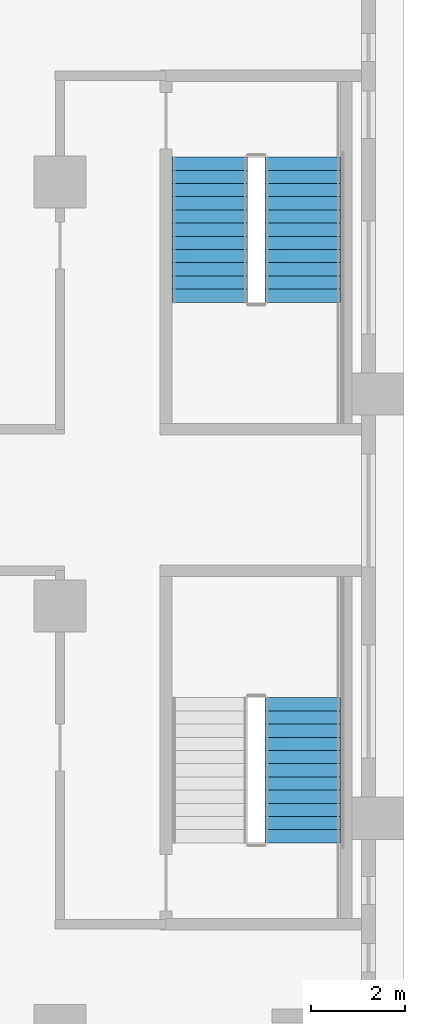
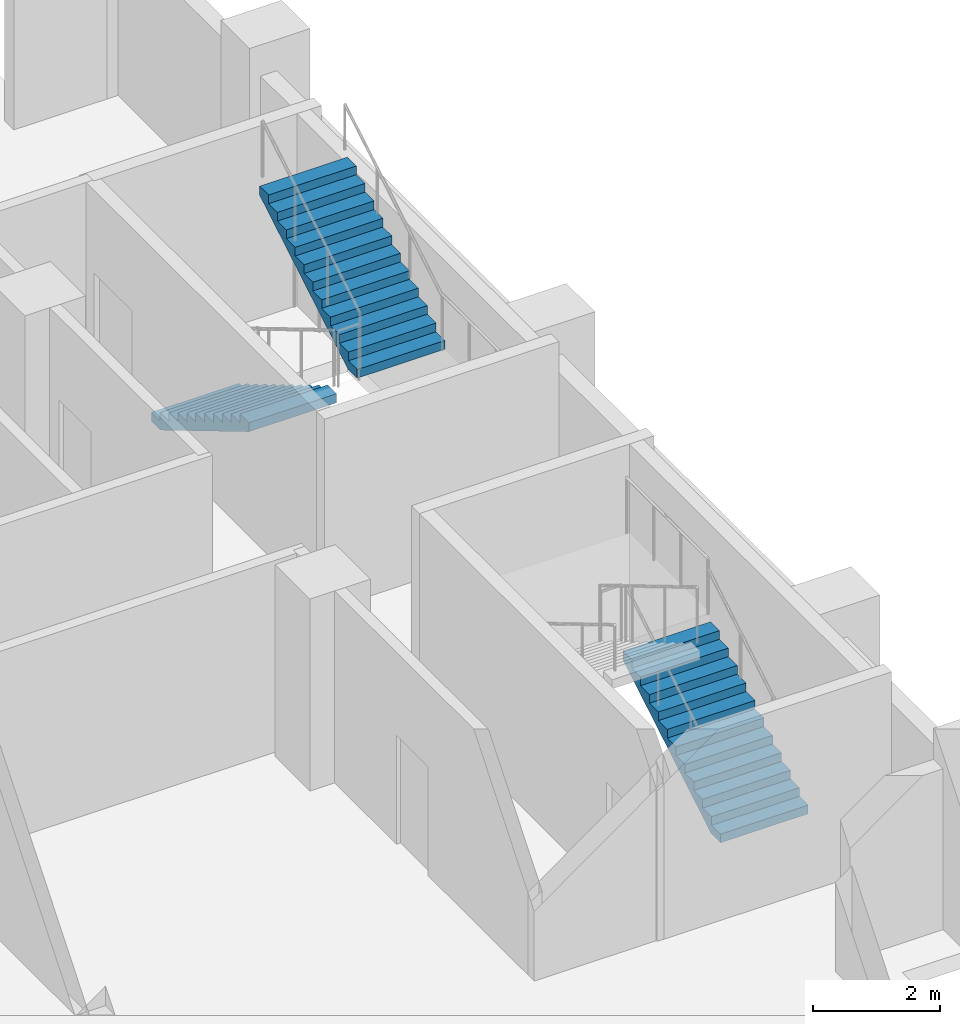
# One storey, part 10 of 12: 3 stair flights, 2 elements without a shape of their own.
"""IFC4 building model written with IfcOpenShell, lengths in metres."""

from ifc_helpers import new_model, si_unit, direction, frame, origin, place, context, subcontext, project, spatial, polyline, outline, extrude, material, type_object, element, aggregate, save


model = new_model("IFC4")

# Units and contexts
model_context = context("Model", 3, precision=1e-05, world=origin(), true_north=direction((0.0, 1.0)))
body_context = subcontext(model_context, "Body", "Model", "MODEL_VIEW")
ifc_project = project(units=[si_unit("LENGTHUNIT", "METRE"), si_unit("AREAUNIT", "SQUARE_METRE"), si_unit("VOLUMEUNIT", "CUBIC_METRE"), si_unit("PLANEANGLEUNIT", "RADIAN"), si_unit("MASSUNIT", "GRAM", prefix="KILO")], contexts=[model_context])

# Site, building, storey
site_placement = place(None, origin())
site = spatial("IfcSite", under=ifc_project, at=site_placement, CompositionType="ELEMENT")
building_placement = place(site_placement, origin())
building = spatial("IfcBuilding", under=site, at=building_placement, Name="Corbelhall Arena Tower", CompositionType="ELEMENT")
storey_placement = place(building_placement, frame((0.0, 0.0, 126.0)))
storey = spatial("IfcBuildingStorey", under=building, at=storey_placement, Name="L23", CompositionType="ELEMENT", Elevation=126.0)

# Stair, stair flight
ifc_material = material(Name="Concrete C40/50", Category="concrete")
stair_type = type_object("IfcStairType", Name="IN-ST-TOWER", PredefinedType="HALF_TURN_STAIR", material=ifc_material)
stair_1_placement = place(storey_placement, origin())
stair_1 = element("IfcStair", 1, at=stair_1_placement, inside=storey, type_object=stair_type, Name="L23 Exit stair SD1", PredefinedType="HALF_TURN_STAIR")
stair_flight_type = type_object("IfcStairFlightType", Name="IN-SFL-RC", PredefinedType="STRAIGHT", material=ifc_material)
stair_flight_1_placement = place(storey_placement, frame((38.89990234375, -9.52490234375, 0.0), z_axis=(0.0, 0.0, 1.0), x_axis=(0.0, 1.0, 0.0)))
stair_flight_1 = element("IfcStairFlight", 2, at=stair_flight_1_placement, type_object=stair_flight_type, Name="SD1 flight 1", NumberOfRisers=12, NumberOfTreads=11, PredefinedType="STRAIGHT", RiserHeight=0.166666667, TreadLength=0.28, context=body_context, shape_type="SweptSolid", body=[
    extrude(outline(polyline([(0.0, 0.0), (0.0, 0.166748046875), (0.280029296875, 0.166748046875), (0.280029296875, 0.333251953125), (0.56005859375, 0.333251953125), (0.56005859375, 0.5), (0.840087890625, 0.5), (0.840087890625, 0.666748046875), (1.1201171875, 0.666748046875), (1.1201171875, 0.833251953125), (1.39990234375, 0.833251953125), (1.39990234375, 1.0), (1.679931640625, 1.0), (1.679931640625, 1.166748046875), (1.9599609375, 1.166748046875), (1.9599609375, 1.333251953125), (2.239990234375, 1.333251953125), (2.239990234375, 1.5), (2.52001953125, 1.5), (2.52001953125, 1.666748046875), (2.800048828125, 1.666748046875), (2.800048828125, 1.833251953125), (3.080078125, 1.833251953125), (3.080078125, 2.0), (3.080078125, 1.658935546875), (0.29296875, 0.0), (0.0, 0.0)])), frame((0.0, 0.800048828125, 0.0), z_axis=(0.0, -1.0, 0.0), x_axis=(1.0, 0.0, 0.0)), (0.0, 0.0, 1.0), 1.60009765625),
])
aggregate(stair_1, [stair_flight_1])

# Stair, stair flights
stair_2_placement = place(storey_placement, origin())
stair_2 = element("IfcStair", 3, at=stair_2_placement, inside=storey, type_object=stair_type, Name="L23 Exit stair SD2", PredefinedType="HALF_TURN_STAIR")
stair_flight_2_placement = place(storey_placement, frame((36.925048828125, 5.02490234375, 0.0), z_axis=(0.0, 0.0, 1.0), x_axis=(0.0, -1.0, 0.0)))
stair_flight_2 = element("IfcStairFlight", 4, at=stair_flight_2_placement, type_object=stair_flight_type, Name="SD2 flight 1", NumberOfRisers=12, NumberOfTreads=11, PredefinedType="STRAIGHT", RiserHeight=0.166666667, TreadLength=0.28, context=body_context, shape_type="SweptSolid", body=[
    extrude(outline(polyline([(0.0, 0.0), (0.0, 0.166748046875), (0.280029296875, 0.166748046875), (0.280029296875, 0.333251953125), (0.56005859375, 0.333251953125), (0.56005859375, 0.5), (0.840087890625, 0.5), (0.840087890625, 0.666748046875), (1.1201171875, 0.666748046875), (1.1201171875, 0.833251953125), (1.39990234375, 0.833251953125), (1.39990234375, 1.0), (1.679931640625, 1.0), (1.679931640625, 1.166748046875), (1.9599609375, 1.166748046875), (1.9599609375, 1.333251953125), (2.239990234375, 1.333251953125), (2.239990234375, 1.5), (2.52001953125, 1.5), (2.52001953125, 1.666748046875), (2.800048828125, 1.666748046875), (2.800048828125, 1.833251953125), (3.080078125, 1.833251953125), (3.080078125, 2.0), (3.080078125, 1.658935546875), (0.29296875, 0.0), (0.0, 0.0)])), frame((0.0, 0.800048828125, 0.0), z_axis=(0.0, -1.0, 0.0), x_axis=(1.0, 0.0, 0.0)), (0.0, 0.0, 1.0), 1.60009765625),
])
stair_flight_3_placement = place(storey_placement, frame((38.89990234375, 1.945068359375, 2.0), z_axis=(0.0, 0.0, 1.0), x_axis=(0.0, 1.0, 0.0)))
stair_flight_3 = element("IfcStairFlight", 5, at=stair_flight_3_placement, type_object=stair_flight_type, Name="SD2 flight 2", NumberOfRisers=12, NumberOfTreads=11, PredefinedType="STRAIGHT", RiserHeight=0.166666667, TreadLength=0.28, context=body_context, shape_type="SweptSolid", body=[
    extrude(outline(polyline([(0.0, 0.0), (0.0, 0.166748046875), (0.280029296875, 0.166748046875), (0.280029296875, 0.333251953125), (0.56005859375, 0.333251953125), (0.56005859375, 0.5), (0.840087890625, 0.5), (0.840087890625, 0.666748046875), (1.1201171875, 0.666748046875), (1.1201171875, 0.833251953125), (1.39990234375, 0.833251953125), (1.39990234375, 1.0), (1.679931640625, 1.0), (1.679931640625, 1.166748046875), (1.9599609375, 1.166748046875), (1.9599609375, 1.333251953125), (2.239990234375, 1.333251953125), (2.239990234375, 1.5), (2.52001953125, 1.5), (2.52001953125, 1.666748046875), (2.800048828125, 1.666748046875), (2.800048828125, 1.833251953125), (3.080078125, 1.833251953125), (3.080078125, 2.0), (3.080078125, 1.658935546875), (0.29296875, 0.0), (0.0, 0.0)])), frame((0.0, 0.800048828125, 0.0), z_axis=(0.0, -1.0, 0.0), x_axis=(1.0, 0.0, 0.0)), (0.0, 0.0, 1.0), 1.60009765625),
])
aggregate(stair_2, [stair_flight_2, stair_flight_3])

save(model, "model.ifc")
